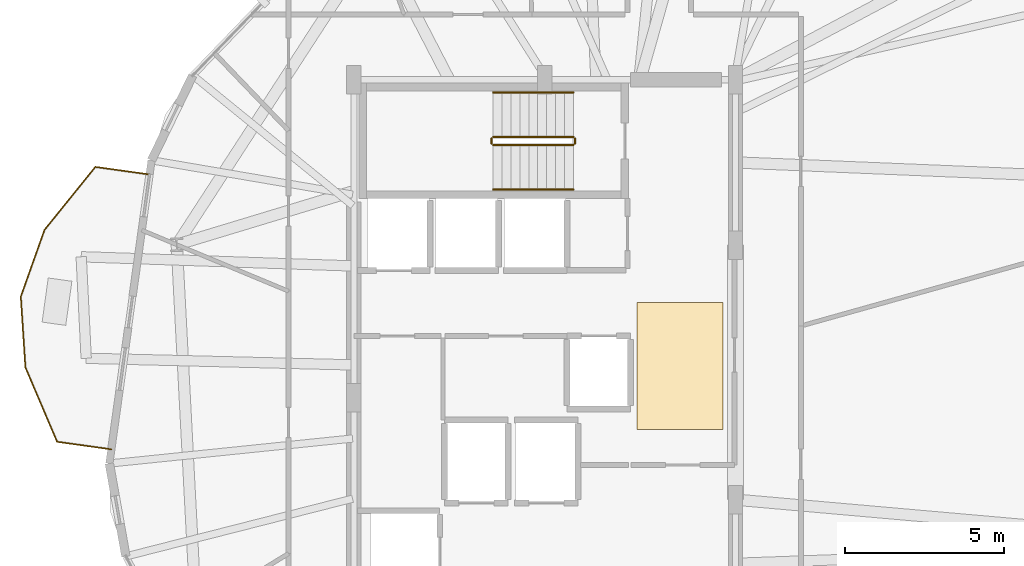
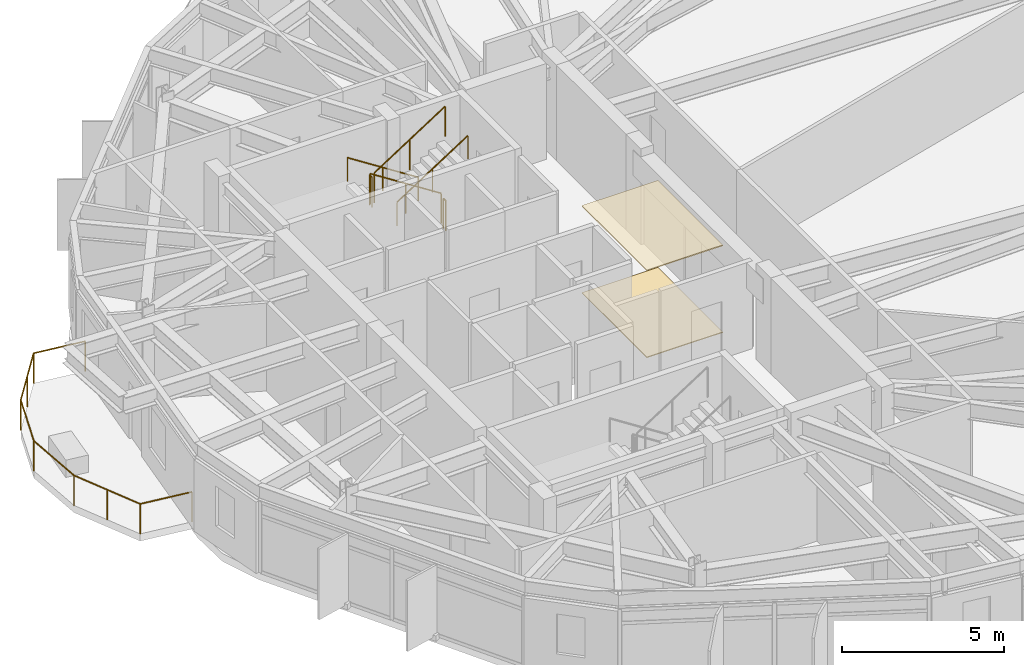
# One storey, part 27 of 28: 7 railings, 2 coverings.
"""IFC4 building model written with IfcOpenShell, lengths in metres."""

from ifc_helpers import new_model, si_unit, direction, frame, origin, origin_2d, place, context, subcontext, project, spatial, polyline, circle, outline, extrude, material, layer, layer_set, type_object, element, save


model = new_model("IFC4")

# Units and contexts
model_context = context("Model", 3, precision=1e-05, world=origin(), true_north=direction((0.0, 1.0)))
body_context = subcontext(model_context, "Body", "Model", "MODEL_VIEW")
ifc_project = project(units=[si_unit("LENGTHUNIT", "METRE"), si_unit("AREAUNIT", "SQUARE_METRE"), si_unit("VOLUMEUNIT", "CUBIC_METRE"), si_unit("PLANEANGLEUNIT", "RADIAN"), si_unit("MASSUNIT", "GRAM", prefix="KILO")], contexts=[model_context])

# Site, building, storey
site_placement = place(None, origin())
site = spatial("IfcSite", under=ifc_project, at=site_placement, CompositionType="ELEMENT")
building_placement = place(site_placement, origin())
building = spatial("IfcBuilding", under=site, at=building_placement, Name="Soratama Intermodal Tower", CompositionType="ELEMENT")
storey_placement = place(building_placement, frame((0.0, 0.0, 205.0)))
storey = spatial("IfcBuildingStorey", under=building, at=storey_placement, Name="L51", CompositionType="ELEMENT", Elevation=205.0)

# Coverings
ifc_material_1 = material(Name="Perforated mineral acoustic ceiling", Category="concrete")
ifc_layer_1 = layer(ifc_material_1, 0.0400390625)
ifc_layer_set_1 = layer_set([ifc_layer_1], Name="Perforated mineral acoustic ceiling")
covering_type_1 = type_object("IfcCoveringType", Name="CV-CEIL-ACOUSTIC", PredefinedType="CEILING", material=ifc_layer_set_1)
covering_1_placement = place(storey_placement, frame((0.0, 0.0, 3.260009765625)))
element("IfcCovering", 1, at=covering_1_placement, inside=storey, type_object=covering_type_1, Name="L51 Acoustic Ceiling", PredefinedType="CEILING", context=body_context, shape_type="SweptSolid", body=[
    extrude(outline(polyline([(41.5, 24.0), (44.199951171875, 24.0), (44.199951171875, 28.0), (41.5, 28.0), (41.5, 24.0)])), origin(), (0.0, 0.0, 1.0), 0.0400390625),
])
ifc_material_2 = material(Name="Polished Andean stone terrazzo flooring", Category="masonry")
ifc_layer_2 = layer(ifc_material_2, 0.030029296875)
ifc_layer_set_2 = layer_set([ifc_layer_2], Name="Polished Andean stone terrazzo flooring")
covering_type_2 = type_object("IfcCoveringType", Name="CV-FLOR-TERRAZZO", PredefinedType="FLOORING", material=ifc_layer_set_2)
covering_2_placement = place(storey_placement, origin())
element("IfcCovering", 2, at=covering_2_placement, inside=storey, type_object=covering_type_2, Name="L51 Lobby Terrazzo Flooring", PredefinedType="FLOORING", context=body_context, shape_type="SweptSolid", body=[
    extrude(outline(polyline([(41.5, 24.0), (44.199951171875, 24.0), (44.199951171875, 28.0), (41.5, 28.0), (41.5, 24.0)])), origin(), (0.0, 0.0, 1.0), 0.030029296875),
])

# Railings
ifc_material_3 = material(Name="Laminated glass and stainless steel balustrade", Category="steel")
railing_type_1 = type_object("IfcRailingType", Name="RL-BAL-1150", PredefinedType="BALUSTRADE", material=ifc_material_3)
railing_1_placement = place(storey_placement, frame((24.97607421875, 23.381591796875, 0.0)))
element("IfcRailing", 3, at=railing_1_placement, inside=storey, type_object=railing_type_1, Name="L51 Balcony Balustrade 3", PredefinedType="BALUSTRADE", context=body_context, shape_type="SweptSolid", body=[
    extrude(circle(Radius=0.02392578125, at=origin_2d()), frame((0.0, 0.0, 1.1259765625), z_axis=(-0.990456782158, 0.137823665158, 0.0), x_axis=(-0.137823665158, -0.990456782158, 0.0)), (0.0, 0.0, 1.0), 1.719970703125),
    extrude(circle(Radius=0.02392578125, at=origin_2d()), frame((-1.70361328125, 0.237060546875, 1.1259765625), z_axis=(-0.392123730322, 0.919912485032, 0.0), x_axis=(-0.919912485032, -0.392123730322, 0.0)), (0.0, 0.0, 1.0), 2.544677734375),
    extrude(circle(Radius=0.02392578125, at=origin_2d()), frame((-2.701416015625, 2.577880859375, 1.1259765625), z_axis=(-0.064794341412, 0.997898638801, 0.0), x_axis=(-0.997898638801, -0.064794341412, 0.0)), (0.0, 0.0, 1.0), 2.226806640625),
    extrude(circle(Radius=0.02392578125, at=origin_2d()), frame((-2.845703125, 4.800048828125, 1.1259765625), z_axis=(0.334752241913, 0.942306179824, 0.0), x_axis=(-0.942306179824, 0.334752241913, 0.0)), (0.0, 0.0, 1.0), 2.2265625),
    extrude(circle(Radius=0.02392578125, at=origin_2d()), frame((-2.100341796875, 6.898193359375, 1.1259765625), z_axis=(0.628303609499, 0.777968234757, 0.0), x_axis=(-0.777968234757, 0.628303609499, 0.0)), (0.0, 0.0, 1.0), 2.544677734375),
    extrude(circle(Radius=0.02392578125, at=origin_2d()), frame((-0.50146484375, 8.8779296875, 1.1259765625), z_axis=(0.990456782158, -0.137823665158, 0.0), x_axis=(0.137823665158, 0.990456782158, 0.0)), (0.0, 0.0, 1.0), 1.719970703125),
    extrude(circle(Radius=0.02099609375, at=origin_2d()), origin(), (0.0, 0.0, 1.0), 1.101806640625),
    extrude(circle(Radius=0.02099609375, at=origin_2d()), frame((-1.70361328125, 0.237060546875, 0.0)), (0.0, 0.0, 1.0), 1.101806640625),
    extrude(circle(Radius=0.02099609375, at=origin_2d()), frame((-2.20263671875, 1.407470703125, 0.0)), (0.0, 0.0, 1.0), 1.101806640625),
    extrude(circle(Radius=0.02099609375, at=origin_2d()), frame((-2.701416015625, 2.577880859375, 0.0)), (0.0, 0.0, 1.0), 1.101806640625),
    extrude(circle(Radius=0.02099609375, at=origin_2d()), frame((-2.845703125, 4.800048828125, 0.0)), (0.0, 0.0, 1.0), 1.101806640625),
    extrude(circle(Radius=0.02099609375, at=origin_2d()), frame((-2.100341796875, 6.898193359375, 0.0)), (0.0, 0.0, 1.0), 1.101806640625),
    extrude(circle(Radius=0.02099609375, at=origin_2d()), frame((-1.30078125, 7.88818359375, 0.0)), (0.0, 0.0, 1.0), 1.101806640625),
    extrude(circle(Radius=0.02099609375, at=origin_2d()), frame((-0.50146484375, 8.8779296875, 0.0)), (0.0, 0.0, 1.0), 1.101806640625),
    extrude(circle(Radius=0.02099609375, at=origin_2d()), frame((1.2021484375, 8.640869140625, 0.0)), (0.0, 0.0, 1.0), 1.101806640625),
])
ifc_material_4 = material(Name="Painted steel stair guardrail", Category="steel")
railing_type_2 = type_object("IfcRailingType", Name="RL-STAIR-GUARD", PredefinedType="GUARDRAIL", material=ifc_material_4)
railing_2_placement = place(storey_placement, frame((39.5, 33.199951171875, 0.179931640625)))
element("IfcRailing", 4, at=railing_2_placement, inside=storey, type_object=railing_type_2, Name="L51 ST-2 stair guard 1", PredefinedType="GUARDRAIL", context=body_context, shape_type="SweptSolid", body=[
    extrude(circle(Radius=0.02392578125, at=origin_2d()), frame((0.0, 0.0, 1.1259765625), z_axis=(-0.841162588446, 0.0, 0.540782303519), x_axis=(0.0, -1.0, 0.0)), (0.0, 0.0, 1.0), 2.995849609375),
    extrude(circle(Radius=0.02099609375, at=origin_2d()), origin(), (0.0, 0.0, 1.0), 1.101806640625),
    extrude(circle(Radius=0.02099609375, at=origin_2d()), frame((-1.260009765625, 0.0, 0.81005859375)), (0.0, 0.0, 1.0), 1.101806640625),
    extrude(circle(Radius=0.02099609375, at=origin_2d()), frame((-2.52001953125, 0.0, 1.6201171875)), (0.0, 0.0, 1.0), 1.101806640625),
])
railing_3_placement = place(storey_placement, frame((36.929931640625, 33.14990234375, 1.800048828125)))
element("IfcRailing", 5, at=railing_3_placement, inside=storey, type_object=railing_type_2, Name="L51 ST-2 stair guard 2", PredefinedType="GUARDRAIL", context=body_context, shape_type="SweptSolid", body=[
    extrude(circle(Radius=0.02392578125, at=origin_2d()), frame((0.0, 0.0, 1.1259765625), z_axis=(0.0, -1.0, 0.0), x_axis=(1.0, 0.0, 0.0)), (0.0, 0.0, 1.0), 0.14990234375),
    extrude(circle(Radius=0.02099609375, at=origin_2d()), origin(), (0.0, 0.0, 1.0), 1.101806640625),
    extrude(circle(Radius=0.02099609375, at=origin_2d()), frame((0.0, -0.14990234375, 0.0)), (0.0, 0.0, 1.0), 1.101806640625),
])
railing_4_placement = place(storey_placement, frame((36.97998046875, 32.949951171875, 1.97998046875)))
element("IfcRailing", 6, at=railing_4_placement, inside=storey, type_object=railing_type_2, Name="L51 ST-2 stair guard 3", PredefinedType="GUARDRAIL", context=body_context, shape_type="SweptSolid", body=[
    extrude(circle(Radius=0.02392578125, at=origin_2d()), frame((0.0, 0.0, 1.1259765625), z_axis=(0.841162588446, 0.0, 0.540782303519), x_axis=(0.0, 1.0, 0.0)), (0.0, 0.0, 1.0), 2.995849609375),
    extrude(circle(Radius=0.02099609375, at=origin_2d()), origin(), (0.0, 0.0, 1.0), 1.101806640625),
    extrude(circle(Radius=0.02099609375, at=origin_2d()), frame((1.260009765625, 0.0, 0.81005859375)), (0.0, 0.0, 1.0), 1.101806640625),
    extrude(circle(Radius=0.02099609375, at=origin_2d()), frame((2.52001953125, 0.0, 1.6201171875)), (0.0, 0.0, 1.0), 1.101806640625),
])
railing_5_placement = place(storey_placement, frame((39.550048828125, 33.14990234375, 0.0)))
element("IfcRailing", 7, at=railing_5_placement, inside=storey, type_object=railing_type_2, Name="L51 ST-2 stair guard 4", PredefinedType="GUARDRAIL", context=body_context, shape_type="SweptSolid", body=[
    extrude(circle(Radius=0.02392578125, at=origin_2d()), frame((0.0, 0.0, 1.1259765625), z_axis=(0.0, -1.0, 0.0), x_axis=(1.0, 0.0, 0.0)), (0.0, 0.0, 1.0), 0.14990234375),
    extrude(circle(Radius=0.02099609375, at=origin_2d()), origin(), (0.0, 0.0, 1.0), 1.101806640625),
    extrude(circle(Radius=0.02099609375, at=origin_2d()), frame((0.0, -0.14990234375, 0.0)), (0.0, 0.0, 1.0), 1.101806640625),
])
ifc_material_5 = material(Name="Brushed stainless steel handrail", Category="steel")
railing_type_3 = type_object("IfcRailingType", Name="RL-STAIR-HAND", PredefinedType="HANDRAIL", material=ifc_material_5)
railing_6_placement = place(storey_placement, frame((39.5, 34.60009765625, 0.179931640625)))
element("IfcRailing", 8, at=railing_6_placement, inside=storey, type_object=railing_type_3, Name="L51 ST-2 stair handrail 1", PredefinedType="HANDRAIL", context=body_context, shape_type="SweptSolid", body=[
    extrude(circle(Radius=0.02392578125, at=origin_2d()), frame((0.0, 0.0, 0.8759765625), z_axis=(-0.841162588446, 0.0, 0.540782303519), x_axis=(0.0, -1.0, 0.0)), (0.0, 0.0, 1.0), 2.995849609375),
    extrude(circle(Radius=0.02099609375, at=origin_2d()), origin(), (0.0, 0.0, 1.0), 0.851806640625),
    extrude(circle(Radius=0.02099609375, at=origin_2d()), frame((-1.260009765625, 0.0, 0.81005859375)), (0.0, 0.0, 1.0), 0.851806640625),
    extrude(circle(Radius=0.02099609375, at=origin_2d()), frame((-2.52001953125, 0.0, 1.6201171875)), (0.0, 0.0, 1.0), 0.851806640625),
])
railing_7_placement = place(storey_placement, frame((36.97998046875, 31.550048828125, 1.97998046875)))
element("IfcRailing", 9, at=railing_7_placement, inside=storey, type_object=railing_type_3, Name="L51 ST-2 stair handrail 2", PredefinedType="HANDRAIL", context=body_context, shape_type="SweptSolid", body=[
    extrude(circle(Radius=0.02392578125, at=origin_2d()), frame((0.0, 0.0, 0.8759765625), z_axis=(0.841162588446, 0.0, 0.540782303519), x_axis=(0.0, 1.0, 0.0)), (0.0, 0.0, 1.0), 2.995849609375),
    extrude(circle(Radius=0.02099609375, at=origin_2d()), origin(), (0.0, 0.0, 1.0), 0.851806640625),
    extrude(circle(Radius=0.02099609375, at=origin_2d()), frame((1.260009765625, 0.0, 0.81005859375)), (0.0, 0.0, 1.0), 0.851806640625),
    extrude(circle(Radius=0.02099609375, at=origin_2d()), frame((2.52001953125, 0.0, 1.6201171875)), (0.0, 0.0, 1.0), 0.851806640625),
])

save(model, "model.ifc")
